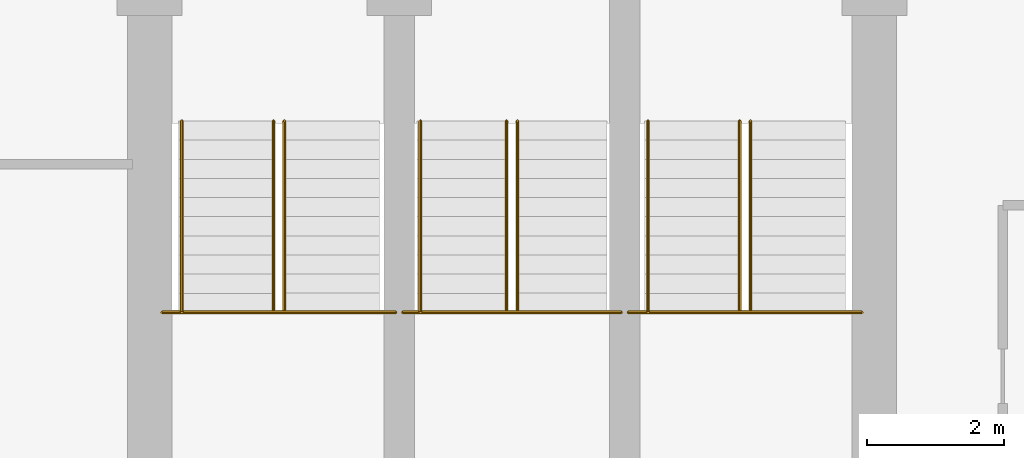
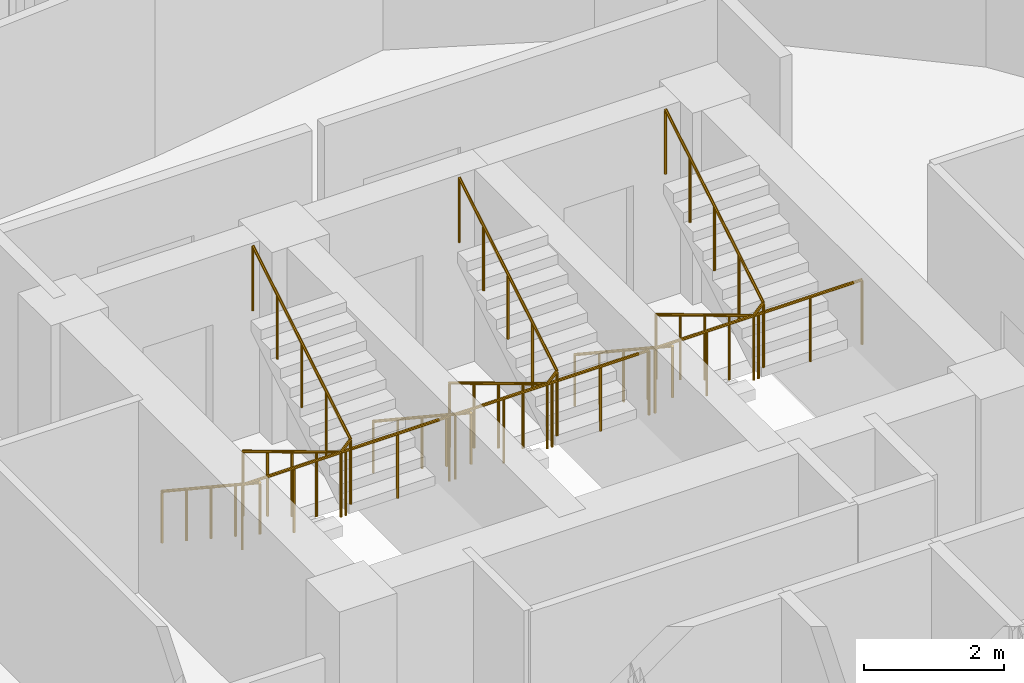
# One storey, part 26 of 26: 9 railings.
"""IFC4 building model written with IfcOpenShell, lengths in metres."""

import ifcopenshell
import ifcopenshell.guid

model = None  # the IFC model being written
_history = None  # IfcOwnerHistory: only IFC2X3 demands one
_inside = {}  # id of a spatial element -> (the spatial element, [elements in it])
_under = {}  # id of a project, library or spatial element -> (it, [spatial elements below it])
_declared = {}  # id of a project -> (the project, [libraries it declares])
_typed = {}  # id of a type object -> (the type object, [elements of that type])
_made_of = {}  # id of a material, layer set ... -> (it, [elements and type objects made of it])


def new_model(schema):
    """Start an empty IFC model of exactly this schema.

    Asked for "IFC4X3", IfcOpenShell would pick the latest addendum, in which some entities
    have other attributes; the version numbers below select the first issue.
    IFC2X3 requires an IfcOwnerHistory on every rooted entity: one is made here for all.
    """
    global model, _history
    if schema == "IFC4X3":
        model = ifcopenshell.file(schema_version=(4, 3, 0, 0))
    else:
        model = ifcopenshell.file(schema=schema)
    _inside.clear()
    _under.clear()
    _declared.clear()
    _typed.clear()
    _made_of.clear()
    _history = None
    if model.schema == "IFC2X3":
        org = make("IfcOrganization", Name="unknown")
        user = make(
            "IfcPersonAndOrganization",
            ThePerson=make("IfcPerson", FamilyName="unknown"),
            TheOrganization=org,
        )
        app = make(
            "IfcApplication",
            ApplicationDeveloper=org,
            Version="unknown",
            ApplicationFullName="unknown",
            ApplicationIdentifier="unknown",
        )
        _history = make(
            "IfcOwnerHistory",
            OwningUser=user,
            OwningApplication=app,
            ChangeAction="ADDED",
            CreationDate=0,
        )
    return model


def make(cls, **values):
    """One entity of the class cls with the attributes given. An attribute that is None is left unset."""
    return model.create_entity(
        cls, **{name: value for name, value in values.items() if value is not None}
    )


def rooted(cls, **values):
    """An entity with a GlobalId (a new one), such as an element, a storey or a relation."""
    return make(cls, GlobalId=ifcopenshell.guid.new(), OwnerHistory=_history, **values)


def si_unit(unit_type, name, prefix=None):
    """IfcSIUnit, for example si_unit("LENGTHUNIT", "METRE", prefix="MILLI")."""
    return make("IfcSIUnit", UnitType=unit_type, Prefix=prefix, Name=name)


def assignment(units):
    """IfcUnitAssignment: the units of a project."""
    return None if units is None else make("IfcUnitAssignment", Units=units)


def point(xyz):
    """IfcCartesianPoint."""
    return None if xyz is None else make("IfcCartesianPoint", Coordinates=xyz)


def direction(xyz):
    """IfcDirection."""
    return None if xyz is None else make("IfcDirection", DirectionRatios=xyz)


def frame(location, z_axis=None, x_axis=None):
    """IfcAxis2Placement3D, a coordinate frame: its origin and axes. An axis left out is left unset."""
    return make(
        "IfcAxis2Placement3D",
        Location=point(location),
        Axis=direction(z_axis),
        RefDirection=direction(x_axis),
    )


def origin():
    """The frame at (0, 0, 0) with its axes left unset."""
    return frame((0.0, 0.0, 0.0))


def place(relative_to, where):
    """IfcLocalPlacement: puts the frame where relative to a parent placement (None: the world)."""
    return make(
        "IfcLocalPlacement", PlacementRelTo=relative_to, RelativePlacement=where
    )


def context(
    kind, dimensions, precision=None, world=None, true_north=None, identifier=None
):
    """IfcGeometricRepresentationContext, for example the 3D "Model" context."""
    return make(
        "IfcGeometricRepresentationContext",
        ContextIdentifier=identifier,
        ContextType=kind,
        CoordinateSpaceDimension=dimensions,
        Precision=precision,
        WorldCoordinateSystem=world,
        TrueNorth=true_north,
    )


def subcontext(parent, identifier, kind, view, scale=None):
    """IfcGeometricRepresentationSubContext, for example "Body" below "Model"."""
    return make(
        "IfcGeometricRepresentationSubContext",
        ContextIdentifier=identifier,
        ContextType=kind,
        ParentContext=parent,
        TargetScale=scale,
        TargetView=view,
    )


def project(units=None, contexts=None):
    """IfcProject with its units and contexts."""
    return rooted(
        "IfcProject",
        Name="project",
        RepresentationContexts=contexts,
        UnitsInContext=assignment(units),
    )


def spatial(cls, under=None, at=None, **own):
    """A site, building, storey or space (cls), placed at a placement, below another one or the project."""
    s = rooted(cls, ObjectPlacement=at, **own)
    if under is not None:
        _under.setdefault(under.id(), (under, []))[1].append(s)
    return s


def polyline(points):
    """IfcPolyline through the points."""
    return make("IfcPolyline", Points=[point(p) for p in points])


def outline(outer, holes=None, kind="AREA"):
    """IfcArbitraryClosedProfileDef: a profile drawn as a closed curve; with holes, ...WithVoids."""
    if holes is None:
        return make("IfcArbitraryClosedProfileDef", ProfileType=kind, OuterCurve=outer)
    return make(
        "IfcArbitraryProfileDefWithVoids",
        ProfileType=kind,
        OuterCurve=outer,
        InnerCurves=holes,
    )


def extrude(swept, where, along, depth):
    """IfcExtrudedAreaSolid: the profile swept, set in the frame where, extruded along a direction by depth."""
    return make(
        "IfcExtrudedAreaSolid",
        SweptArea=swept,
        Position=where,
        ExtrudedDirection=direction(along),
        Depth=depth,
    )


def shape(context_of_items, identifier, shape_type, items):
    """IfcShapeRepresentation: the items that make up one representation, for example the "Body"."""
    return make(
        "IfcShapeRepresentation",
        ContextOfItems=context_of_items,
        RepresentationIdentifier=identifier,
        RepresentationType=shape_type,
        Items=items,
    )


def material(Name=None, Category=None):
    """IfcMaterial."""
    return make("IfcMaterial", Name=Name, Category=Category)


def made_of(thing, what):
    """Note that an element or type object is made of a material, layer set ...; save() writes the relation."""
    if what is not None:
        _made_of.setdefault(what.id(), (what, []))[1].append(thing)
    return thing


def type_object(cls, material=None, **own):
    """A type object (cls), such as IfcWallType, which elements share."""
    return made_of(rooted(cls, **own), material)


def element(
    cls,
    number,
    at=None,
    inside=None,
    cuts=None,
    type_object=None,
    material=None,
    context=None,
    identifier="Body",
    shape_type=None,
    held_by="IfcProductDefinitionShape",
    body=None,
    shapes=None,
    **own,
):
    """One element of the class cls, such as IfcWall. Its Tag is "e" and its number.

    at: its placement. inside: the storey or other place that contains it. cuts: it is an
    opening in that element (IfcRelVoidsElement). A single representation is given by context,
    identifier, shape_type and body (its items); several are given by shapes. held_by: the class
    of the entity that holds the representations. save() writes the other relations.
    """
    e = rooted(cls, Tag="e%d" % number, ObjectPlacement=at, **own)
    if body is not None:
        shapes = [shape(context, identifier, shape_type, body)]
    if shapes is not None:
        e.Representation = make(held_by, Representations=shapes)
    if inside is not None:
        _inside.setdefault(inside.id(), (inside, []))[1].append(e)
    if cuts is not None:
        rooted(
            "IfcRelVoidsElement", RelatingBuildingElement=cuts, RelatedOpeningElement=e
        )
    if type_object is not None:
        _typed.setdefault(type_object.id(), (type_object, []))[1].append(e)
    return made_of(e, material)


def aggregate(whole, parts):
    """IfcRelAggregates: a whole, such as a stair, and the parts it consists of."""
    return rooted("IfcRelAggregates", RelatingObject=whole, RelatedObjects=parts)


def save(model, path):
    """Write the relations noted so far, then the file.

    IfcRelAggregates (storeys below a building ...), IfcRelContainedInSpatialStructure (elements
    in a storey), IfcRelDefinesByType, IfcRelAssociatesMaterial and IfcRelDeclares: one each for
    every whole, place, type object, material and project.
    """
    for whole, parts in _under.values():
        aggregate(whole, parts)
    for where, things in _inside.values():
        rooted(
            "IfcRelContainedInSpatialStructure",
            RelatedElements=things,
            RelatingStructure=where,
        )
    for kind, things in _typed.values():
        rooted("IfcRelDefinesByType", RelatedObjects=things, RelatingType=kind)
    for what, things in _made_of.values():
        rooted("IfcRelAssociatesMaterial", RelatedObjects=things, RelatingMaterial=what)
    for by, libraries in _declared.values():
        rooted("IfcRelDeclares", RelatingContext=by, RelatedDefinitions=libraries)
    model.write(path)


model = new_model("IFC4")

# Units and contexts
model_context = context("Model", 3, precision=1e-05, world=origin(), true_north=direction((0.0, 1.0)))
body_context = subcontext(model_context, "Body", "Model", "MODEL_VIEW")
ifc_project = project(units=[si_unit("LENGTHUNIT", "METRE"), si_unit("AREAUNIT", "SQUARE_METRE"), si_unit("VOLUMEUNIT", "CUBIC_METRE"), si_unit("PLANEANGLEUNIT", "RADIAN"), si_unit("MASSUNIT", "GRAM", prefix="KILO")], contexts=[model_context])

# Site, building, storey
site_placement = place(None, origin())
site = spatial("IfcSite", under=ifc_project, at=site_placement, CompositionType="ELEMENT")
building_placement = place(site_placement, origin())
building = spatial("IfcBuilding", under=site, at=building_placement, Name="Nuhasar Tower", CompositionType="ELEMENT")
storey_placement = place(building_placement, frame((0.0, 0.0, 192.25)))
storey = spatial("IfcBuildingStorey", under=building, at=storey_placement, Name="L47", CompositionType="ELEMENT", Elevation=192.25)

# Railings
ifc_material_1 = material(Name="Steel S355", Category="steel")
railing_type_1 = type_object("IfcRailingType", Name="RLG-STAIR-GUARD-1150", PredefinedType="GUARDRAIL", material=ifc_material_1)
railing_1_placement = place(storey_placement, frame((33.8798828125, 32.485107421875, 1.85009765625)))
element("IfcRailing", 1, at=railing_1_placement, inside=storey, type_object=railing_type_1, Name="L47 Stair ST-01 Guardrail LND", PredefinedType="GUARDRAIL", context=body_context, shape_type="SweptSolid", body=[
    extrude(outline(polyline([(0.024169921875, 0.0), (0.01708984375, 0.01708984375), (0.0, 0.024169921875), (-0.01708984375, 0.01708984375), (-0.024169921875, 0.0), (-0.01708984375, -0.01708984375), (0.0, -0.024169921875), (0.01708984375, -0.01708984375), (0.024169921875, 0.0)])), frame((0.0, 0.0, 1.1259765625), z_axis=(1.0, 0.0, 0.0), x_axis=(0.0, 1.0, 0.0)), (0.0, 0.0, 1.0), 3.420166015625),
    extrude(outline(polyline([(0.02099609375, 0.0), (0.014892578125, 0.014892578125), (0.0, 0.02099609375), (-0.014892578125, 0.014892578125), (-0.02099609375, 0.0), (-0.014892578125, -0.014892578125), (0.0, -0.02099609375), (0.014892578125, -0.014892578125), (0.02099609375, 0.0)])), origin(), (0.0, 0.0, 1.0), 1.101806640625),
    extrude(outline(polyline([(0.02099609375, 0.0), (0.014892578125, 0.014892578125), (0.0, 0.02099609375), (-0.014892578125, 0.014892578125), (-0.02099609375, 0.0), (-0.014892578125, -0.014892578125), (0.0, -0.02099609375), (0.014892578125, -0.014892578125), (0.02099609375, 0.0)])), frame((0.85498046875, 0.0, 0.0)), (0.0, 0.0, 1.0), 1.101806640625),
    extrude(outline(polyline([(0.02099609375, 0.0), (0.014892578125, 0.014892578125), (0.0, 0.02099609375), (-0.014892578125, 0.014892578125), (-0.02099609375, 0.0), (-0.014892578125, -0.014892578125), (0.0, -0.02099609375), (0.014892578125, -0.014892578125), (0.02099609375, 0.0)])), frame((1.7099609375, 0.0, 0.0)), (0.0, 0.0, 1.0), 1.101806640625),
    extrude(outline(polyline([(0.02099609375, 0.0), (0.014892578125, 0.014892578125), (0.0, 0.02099609375), (-0.014892578125, 0.014892578125), (-0.02099609375, 0.0), (-0.014892578125, -0.014892578125), (0.0, -0.02099609375), (0.014892578125, -0.014892578125), (0.02099609375, 0.0)])), frame((2.565185546875, 0.0, 0.0)), (0.0, 0.0, 1.0), 1.101806640625),
    extrude(outline(polyline([(0.02099609375, 0.0), (0.014892578125, 0.014892578125), (0.0, 0.02099609375), (-0.014892578125, 0.014892578125), (-0.02099609375, 0.0), (-0.014892578125, -0.014892578125), (0.0, -0.02099609375), (0.014892578125, -0.014892578125), (0.02099609375, 0.0)])), frame((3.420166015625, 0.0, 0.0)), (0.0, 0.0, 1.0), 1.101806640625),
])
railing_2_placement = place(storey_placement, frame((35.510009765625, 35.284912109375, 0.16796875)))
element("IfcRailing", 2, at=railing_2_placement, inside=storey, type_object=railing_type_1, Name="L47 Stair ST-01 Guardrail SLT", PredefinedType="GUARDRAIL", context=body_context, shape_type="SweptSolid", body=[
    extrude(outline(polyline([(0.024169921875, 0.0), (0.01708984375, 0.01708984375), (0.0, 0.024169921875), (-0.01708984375, 0.01708984375), (-0.024169921875, 0.0), (-0.01708984375, -0.01708984375), (0.0, -0.024169921875), (0.01708984375, -0.01708984375), (0.024169921875, 0.0)])), frame((0.0, 0.0, 1.1259765625), z_axis=(0.0, -0.857189395008, 0.515001302023), x_axis=(1.0, 0.0, 0.0)), (0.0, 0.0, 1.0), 3.266357421875),
    extrude(outline(polyline([(0.024169921875, 0.0), (0.01708984375, 0.01708984375), (0.0, 0.024169921875), (-0.01708984375, 0.01708984375), (-0.024169921875, 0.0), (-0.01708984375, -0.01708984375), (0.0, -0.024169921875), (0.01708984375, -0.01708984375), (0.024169921875, 0.0)])), frame((0.0, -2.7998046875, 2.80810546875), z_axis=(0.689523729023, 0.0, 0.72426309247), x_axis=(0.0, 1.0, 0.0)), (0.0, 0.0, 1.0), 0.23193359375),
    extrude(outline(polyline([(0.024169921875, 0.0), (0.01708984375, 0.01708984375), (0.0, 0.024169921875), (-0.01708984375, 0.01708984375), (-0.024169921875, 0.0), (-0.01708984375, -0.01708984375), (0.0, -0.024169921875), (0.01708984375, -0.01708984375), (0.024169921875, 0.0)])), frame((0.159912109375, -2.7998046875, 2.97607421875), z_axis=(0.0, 0.857222391501, 0.514946377315), x_axis=(-1.0, 0.0, 0.0)), (0.0, 0.0, 1.0), 3.26611328125),
    extrude(outline(polyline([(0.02099609375, 0.0), (0.014892578125, 0.014892578125), (0.0, 0.02099609375), (-0.014892578125, 0.014892578125), (-0.02099609375, 0.0), (-0.014892578125, -0.014892578125), (0.0, -0.02099609375), (0.014892578125, -0.014892578125), (0.02099609375, 0.0)])), origin(), (0.0, 0.0, 1.0), 1.101806640625),
    extrude(outline(polyline([(0.02099609375, 0.0), (0.014892578125, 0.014892578125), (0.0, 0.02099609375), (-0.014892578125, 0.014892578125), (-0.02099609375, 0.0), (-0.014892578125, -0.014892578125), (0.0, -0.02099609375), (0.014892578125, -0.014892578125), (0.02099609375, 0.0)])), frame((0.0, -0.699951171875, 0.42041015625)), (0.0, 0.0, 1.0), 1.101806640625),
    extrude(outline(polyline([(0.02099609375, 0.0), (0.014892578125, 0.014892578125), (0.0, 0.02099609375), (-0.014892578125, 0.014892578125), (-0.02099609375, 0.0), (-0.014892578125, -0.014892578125), (0.0, -0.02099609375), (0.014892578125, -0.014892578125), (0.02099609375, 0.0)])), frame((0.0, -1.39990234375, 0.841064453125)), (0.0, 0.0, 1.0), 1.101806640625),
    extrude(outline(polyline([(0.02099609375, 0.0), (0.014892578125, 0.014892578125), (0.0, 0.02099609375), (-0.014892578125, 0.014892578125), (-0.02099609375, 0.0), (-0.014892578125, -0.014892578125), (0.0, -0.02099609375), (0.014892578125, -0.014892578125), (0.02099609375, 0.0)])), frame((0.0, -2.099853515625, 1.26171875)), (0.0, 0.0, 1.0), 1.101806640625),
    extrude(outline(polyline([(0.02099609375, 0.0), (0.014892578125, 0.014892578125), (0.0, 0.02099609375), (-0.014892578125, 0.014892578125), (-0.02099609375, 0.0), (-0.014892578125, -0.014892578125), (0.0, -0.02099609375), (0.014892578125, -0.014892578125), (0.02099609375, 0.0)])), frame((0.0, -2.7998046875, 1.68212890625)), (0.0, 0.0, 1.0), 1.101806640625),
    extrude(outline(polyline([(0.02099609375, 0.0), (0.014892578125, 0.014892578125), (0.0, 0.02099609375), (-0.014892578125, 0.014892578125), (-0.02099609375, 0.0), (-0.014892578125, -0.014892578125), (0.0, -0.02099609375), (0.014892578125, -0.014892578125), (0.02099609375, 0.0)])), frame((0.159912109375, -2.7998046875, 1.85009765625)), (0.0, 0.0, 1.0), 1.101806640625),
    extrude(outline(polyline([(0.02099609375, 0.0), (0.014892578125, 0.014892578125), (0.0, 0.02099609375), (-0.014892578125, 0.014892578125), (-0.02099609375, 0.0), (-0.014892578125, -0.014892578125), (0.0, -0.02099609375), (0.014892578125, -0.014892578125), (0.02099609375, 0.0)])), frame((0.159912109375, -2.099853515625, 2.2705078125)), (0.0, 0.0, 1.0), 1.101806640625),
    extrude(outline(polyline([(0.02099609375, 0.0), (0.014892578125, 0.014892578125), (0.0, 0.02099609375), (-0.014892578125, 0.014892578125), (-0.02099609375, 0.0), (-0.014892578125, -0.014892578125), (0.0, -0.02099609375), (0.014892578125, -0.014892578125), (0.02099609375, 0.0)])), frame((0.159912109375, -1.39990234375, 2.69091796875)), (0.0, 0.0, 1.0), 1.101806640625),
    extrude(outline(polyline([(0.02099609375, 0.0), (0.014892578125, 0.014892578125), (0.0, 0.02099609375), (-0.014892578125, 0.014892578125), (-0.02099609375, 0.0), (-0.014892578125, -0.014892578125), (0.0, -0.02099609375), (0.014892578125, -0.014892578125), (0.02099609375, 0.0)])), frame((0.159912109375, -0.699951171875, 3.111572265625)), (0.0, 0.0, 1.0), 1.101806640625),
    extrude(outline(polyline([(0.02099609375, 0.0), (0.014892578125, 0.014892578125), (0.0, 0.02099609375), (-0.014892578125, 0.014892578125), (-0.02099609375, 0.0), (-0.014892578125, -0.014892578125), (0.0, -0.02099609375), (0.014892578125, -0.014892578125), (0.02099609375, 0.0)])), frame((0.159912109375, 0.0, 3.531982421875)), (0.0, 0.0, 1.0), 1.101806640625),
])
railing_3_placement = place(storey_placement, frame((37.39990234375, 32.485107421875, 1.85009765625)))
element("IfcRailing", 3, at=railing_3_placement, inside=storey, type_object=railing_type_1, Name="L47 Stair ST-03 Guardrail LND", PredefinedType="GUARDRAIL", context=body_context, shape_type="SweptSolid", body=[
    extrude(outline(polyline([(0.024169921875, 0.0), (0.01708984375, 0.01708984375), (0.0, 0.024169921875), (-0.01708984375, 0.01708984375), (-0.024169921875, 0.0), (-0.01708984375, -0.01708984375), (0.0, -0.024169921875), (0.01708984375, -0.01708984375), (0.024169921875, 0.0)])), frame((0.0, 0.0, 1.1259765625), z_axis=(1.0, 0.0, 0.0), x_axis=(0.0, 1.0, 0.0)), (0.0, 0.0, 1.0), 3.2001953125),
    extrude(outline(polyline([(0.02099609375, 0.0), (0.014892578125, 0.014892578125), (0.0, 0.02099609375), (-0.014892578125, 0.014892578125), (-0.02099609375, 0.0), (-0.014892578125, -0.014892578125), (0.0, -0.02099609375), (0.014892578125, -0.014892578125), (0.02099609375, 0.0)])), origin(), (0.0, 0.0, 1.0), 1.101806640625),
    extrude(outline(polyline([(0.02099609375, 0.0), (0.014892578125, 0.014892578125), (0.0, 0.02099609375), (-0.014892578125, 0.014892578125), (-0.02099609375, 0.0), (-0.014892578125, -0.014892578125), (0.0, -0.02099609375), (0.014892578125, -0.014892578125), (0.02099609375, 0.0)])), frame((0.800048828125, 0.0, 0.0)), (0.0, 0.0, 1.0), 1.101806640625),
    extrude(outline(polyline([(0.02099609375, 0.0), (0.014892578125, 0.014892578125), (0.0, 0.02099609375), (-0.014892578125, 0.014892578125), (-0.02099609375, 0.0), (-0.014892578125, -0.014892578125), (0.0, -0.02099609375), (0.014892578125, -0.014892578125), (0.02099609375, 0.0)])), frame((1.60009765625, 0.0, 0.0)), (0.0, 0.0, 1.0), 1.101806640625),
    extrude(outline(polyline([(0.02099609375, 0.0), (0.014892578125, 0.014892578125), (0.0, 0.02099609375), (-0.014892578125, 0.014892578125), (-0.02099609375, 0.0), (-0.014892578125, -0.014892578125), (0.0, -0.02099609375), (0.014892578125, -0.014892578125), (0.02099609375, 0.0)])), frame((2.400146484375, 0.0, 0.0)), (0.0, 0.0, 1.0), 1.101806640625),
    extrude(outline(polyline([(0.02099609375, 0.0), (0.014892578125, 0.014892578125), (0.0, 0.02099609375), (-0.014892578125, 0.014892578125), (-0.02099609375, 0.0), (-0.014892578125, -0.014892578125), (0.0, -0.02099609375), (0.014892578125, -0.014892578125), (0.02099609375, 0.0)])), frame((3.2001953125, 0.0, 0.0)), (0.0, 0.0, 1.0), 1.101806640625),
])
railing_4_placement = place(storey_placement, frame((38.919921875, 35.284912109375, 0.16796875)))
element("IfcRailing", 4, at=railing_4_placement, inside=storey, type_object=railing_type_1, Name="L47 Stair ST-03 Guardrail SLT", PredefinedType="GUARDRAIL", context=body_context, shape_type="SweptSolid", body=[
    extrude(outline(polyline([(0.024169921875, 0.0), (0.01708984375, 0.01708984375), (0.0, 0.024169921875), (-0.01708984375, 0.01708984375), (-0.024169921875, 0.0), (-0.01708984375, -0.01708984375), (0.0, -0.024169921875), (0.01708984375, -0.01708984375), (0.024169921875, 0.0)])), frame((0.0, 0.0, 1.1259765625), z_axis=(0.0, -0.857189395008, 0.515001302023), x_axis=(1.0, 0.0, 0.0)), (0.0, 0.0, 1.0), 3.266357421875),
    extrude(outline(polyline([(0.024169921875, 0.0), (0.01708984375, 0.01708984375), (0.0, 0.024169921875), (-0.01708984375, 0.01708984375), (-0.024169921875, 0.0), (-0.01708984375, -0.01708984375), (0.0, -0.024169921875), (0.01708984375, -0.01708984375), (0.024169921875, 0.0)])), frame((0.0, -2.7998046875, 2.80810546875), z_axis=(0.690075333573, 0.0, 0.723737544967), x_axis=(0.0, 1.0, 0.0)), (0.0, 0.0, 1.0), 0.232177734375),
    extrude(outline(polyline([(0.024169921875, 0.0), (0.01708984375, 0.01708984375), (0.0, 0.024169921875), (-0.01708984375, 0.01708984375), (-0.024169921875, 0.0), (-0.01708984375, -0.01708984375), (0.0, -0.024169921875), (0.01708984375, -0.01708984375), (0.024169921875, 0.0)])), frame((0.16015625, -2.7998046875, 2.97607421875), z_axis=(0.0, 0.857222391501, 0.514946377315), x_axis=(-1.0, 0.0, 0.0)), (0.0, 0.0, 1.0), 3.26611328125),
    extrude(outline(polyline([(0.02099609375, 0.0), (0.014892578125, 0.014892578125), (0.0, 0.02099609375), (-0.014892578125, 0.014892578125), (-0.02099609375, 0.0), (-0.014892578125, -0.014892578125), (0.0, -0.02099609375), (0.014892578125, -0.014892578125), (0.02099609375, 0.0)])), origin(), (0.0, 0.0, 1.0), 1.101806640625),
    extrude(outline(polyline([(0.02099609375, 0.0), (0.014892578125, 0.014892578125), (0.0, 0.02099609375), (-0.014892578125, 0.014892578125), (-0.02099609375, 0.0), (-0.014892578125, -0.014892578125), (0.0, -0.02099609375), (0.014892578125, -0.014892578125), (0.02099609375, 0.0)])), frame((0.0, -0.699951171875, 0.42041015625)), (0.0, 0.0, 1.0), 1.101806640625),
    extrude(outline(polyline([(0.02099609375, 0.0), (0.014892578125, 0.014892578125), (0.0, 0.02099609375), (-0.014892578125, 0.014892578125), (-0.02099609375, 0.0), (-0.014892578125, -0.014892578125), (0.0, -0.02099609375), (0.014892578125, -0.014892578125), (0.02099609375, 0.0)])), frame((0.0, -1.39990234375, 0.841064453125)), (0.0, 0.0, 1.0), 1.101806640625),
    extrude(outline(polyline([(0.02099609375, 0.0), (0.014892578125, 0.014892578125), (0.0, 0.02099609375), (-0.014892578125, 0.014892578125), (-0.02099609375, 0.0), (-0.014892578125, -0.014892578125), (0.0, -0.02099609375), (0.014892578125, -0.014892578125), (0.02099609375, 0.0)])), frame((0.0, -2.099853515625, 1.26171875)), (0.0, 0.0, 1.0), 1.101806640625),
    extrude(outline(polyline([(0.02099609375, 0.0), (0.014892578125, 0.014892578125), (0.0, 0.02099609375), (-0.014892578125, 0.014892578125), (-0.02099609375, 0.0), (-0.014892578125, -0.014892578125), (0.0, -0.02099609375), (0.014892578125, -0.014892578125), (0.02099609375, 0.0)])), frame((0.0, -2.7998046875, 1.68212890625)), (0.0, 0.0, 1.0), 1.101806640625),
    extrude(outline(polyline([(0.02099609375, 0.0), (0.014892578125, 0.014892578125), (0.0, 0.02099609375), (-0.014892578125, 0.014892578125), (-0.02099609375, 0.0), (-0.014892578125, -0.014892578125), (0.0, -0.02099609375), (0.014892578125, -0.014892578125), (0.02099609375, 0.0)])), frame((0.16015625, -2.7998046875, 1.85009765625)), (0.0, 0.0, 1.0), 1.101806640625),
    extrude(outline(polyline([(0.02099609375, 0.0), (0.014892578125, 0.014892578125), (0.0, 0.02099609375), (-0.014892578125, 0.014892578125), (-0.02099609375, 0.0), (-0.014892578125, -0.014892578125), (0.0, -0.02099609375), (0.014892578125, -0.014892578125), (0.02099609375, 0.0)])), frame((0.16015625, -2.099853515625, 2.2705078125)), (0.0, 0.0, 1.0), 1.101806640625),
    extrude(outline(polyline([(0.02099609375, 0.0), (0.014892578125, 0.014892578125), (0.0, 0.02099609375), (-0.014892578125, 0.014892578125), (-0.02099609375, 0.0), (-0.014892578125, -0.014892578125), (0.0, -0.02099609375), (0.014892578125, -0.014892578125), (0.02099609375, 0.0)])), frame((0.16015625, -1.39990234375, 2.69091796875)), (0.0, 0.0, 1.0), 1.101806640625),
    extrude(outline(polyline([(0.02099609375, 0.0), (0.014892578125, 0.014892578125), (0.0, 0.02099609375), (-0.014892578125, 0.014892578125), (-0.02099609375, 0.0), (-0.014892578125, -0.014892578125), (0.0, -0.02099609375), (0.014892578125, -0.014892578125), (0.02099609375, 0.0)])), frame((0.16015625, -0.699951171875, 3.111572265625)), (0.0, 0.0, 1.0), 1.101806640625),
    extrude(outline(polyline([(0.02099609375, 0.0), (0.014892578125, 0.014892578125), (0.0, 0.02099609375), (-0.014892578125, 0.014892578125), (-0.02099609375, 0.0), (-0.014892578125, -0.014892578125), (0.0, -0.02099609375), (0.014892578125, -0.014892578125), (0.02099609375, 0.0)])), frame((0.16015625, 0.0, 3.531982421875)), (0.0, 0.0, 1.0), 1.101806640625),
])
railing_5_placement = place(storey_placement, frame((40.699951171875, 32.485107421875, 1.85009765625)))
element("IfcRailing", 5, at=railing_5_placement, inside=storey, type_object=railing_type_1, Name="L47 Stair ST-02 Guardrail LND", PredefinedType="GUARDRAIL", context=body_context, shape_type="SweptSolid", body=[
    extrude(outline(polyline([(0.024169921875, 0.0), (0.01708984375, 0.01708984375), (0.0, 0.024169921875), (-0.01708984375, 0.01708984375), (-0.024169921875, 0.0), (-0.01708984375, -0.01708984375), (0.0, -0.024169921875), (0.01708984375, -0.01708984375), (0.024169921875, 0.0)])), frame((0.0, 0.0, 1.1259765625), z_axis=(1.0, 0.0, 0.0), x_axis=(0.0, 1.0, 0.0)), (0.0, 0.0, 1.0), 3.420166015625),
    extrude(outline(polyline([(0.02099609375, 0.0), (0.014892578125, 0.014892578125), (0.0, 0.02099609375), (-0.014892578125, 0.014892578125), (-0.02099609375, 0.0), (-0.014892578125, -0.014892578125), (0.0, -0.02099609375), (0.014892578125, -0.014892578125), (0.02099609375, 0.0)])), origin(), (0.0, 0.0, 1.0), 1.101806640625),
    extrude(outline(polyline([(0.02099609375, 0.0), (0.014892578125, 0.014892578125), (0.0, 0.02099609375), (-0.014892578125, 0.014892578125), (-0.02099609375, 0.0), (-0.014892578125, -0.014892578125), (0.0, -0.02099609375), (0.014892578125, -0.014892578125), (0.02099609375, 0.0)])), frame((0.85498046875, 0.0, 0.0)), (0.0, 0.0, 1.0), 1.101806640625),
    extrude(outline(polyline([(0.02099609375, 0.0), (0.014892578125, 0.014892578125), (0.0, 0.02099609375), (-0.014892578125, 0.014892578125), (-0.02099609375, 0.0), (-0.014892578125, -0.014892578125), (0.0, -0.02099609375), (0.014892578125, -0.014892578125), (0.02099609375, 0.0)])), frame((1.7099609375, 0.0, 0.0)), (0.0, 0.0, 1.0), 1.101806640625),
    extrude(outline(polyline([(0.02099609375, 0.0), (0.014892578125, 0.014892578125), (0.0, 0.02099609375), (-0.014892578125, 0.014892578125), (-0.02099609375, 0.0), (-0.014892578125, -0.014892578125), (0.0, -0.02099609375), (0.014892578125, -0.014892578125), (0.02099609375, 0.0)])), frame((2.565185546875, 0.0, 0.0)), (0.0, 0.0, 1.0), 1.101806640625),
    extrude(outline(polyline([(0.02099609375, 0.0), (0.014892578125, 0.014892578125), (0.0, 0.02099609375), (-0.014892578125, 0.014892578125), (-0.02099609375, 0.0), (-0.014892578125, -0.014892578125), (0.0, -0.02099609375), (0.014892578125, -0.014892578125), (0.02099609375, 0.0)])), frame((3.420166015625, 0.0, 0.0)), (0.0, 0.0, 1.0), 1.101806640625),
])
railing_6_placement = place(storey_placement, frame((42.330078125, 35.284912109375, 0.16796875)))
element("IfcRailing", 6, at=railing_6_placement, inside=storey, type_object=railing_type_1, Name="L47 Stair ST-02 Guardrail SLT", PredefinedType="GUARDRAIL", context=body_context, shape_type="SweptSolid", body=[
    extrude(outline(polyline([(0.024169921875, 0.0), (0.01708984375, 0.01708984375), (0.0, 0.024169921875), (-0.01708984375, 0.01708984375), (-0.024169921875, 0.0), (-0.01708984375, -0.01708984375), (0.0, -0.024169921875), (0.01708984375, -0.01708984375), (0.024169921875, 0.0)])), frame((0.0, 0.0, 1.1259765625), z_axis=(0.0, -0.857189395008, 0.515001302023), x_axis=(1.0, 0.0, 0.0)), (0.0, 0.0, 1.0), 3.266357421875),
    extrude(outline(polyline([(0.024169921875, 0.0), (0.01708984375, 0.01708984375), (0.0, 0.024169921875), (-0.01708984375, 0.01708984375), (-0.024169921875, 0.0), (-0.01708984375, -0.01708984375), (0.0, -0.024169921875), (0.01708984375, -0.01708984375), (0.024169921875, 0.0)])), frame((0.0, -2.7998046875, 2.80810546875), z_axis=(0.689523729023, 0.0, 0.72426309247), x_axis=(0.0, 1.0, 0.0)), (0.0, 0.0, 1.0), 0.23193359375),
    extrude(outline(polyline([(0.024169921875, 0.0), (0.01708984375, 0.01708984375), (0.0, 0.024169921875), (-0.01708984375, 0.01708984375), (-0.024169921875, 0.0), (-0.01708984375, -0.01708984375), (0.0, -0.024169921875), (0.01708984375, -0.01708984375), (0.024169921875, 0.0)])), frame((0.159912109375, -2.7998046875, 2.97607421875), z_axis=(0.0, 0.857222391501, 0.514946377315), x_axis=(-1.0, 0.0, 0.0)), (0.0, 0.0, 1.0), 3.26611328125),
    extrude(outline(polyline([(0.02099609375, 0.0), (0.014892578125, 0.014892578125), (0.0, 0.02099609375), (-0.014892578125, 0.014892578125), (-0.02099609375, 0.0), (-0.014892578125, -0.014892578125), (0.0, -0.02099609375), (0.014892578125, -0.014892578125), (0.02099609375, 0.0)])), origin(), (0.0, 0.0, 1.0), 1.101806640625),
    extrude(outline(polyline([(0.02099609375, 0.0), (0.014892578125, 0.014892578125), (0.0, 0.02099609375), (-0.014892578125, 0.014892578125), (-0.02099609375, 0.0), (-0.014892578125, -0.014892578125), (0.0, -0.02099609375), (0.014892578125, -0.014892578125), (0.02099609375, 0.0)])), frame((0.0, -0.699951171875, 0.42041015625)), (0.0, 0.0, 1.0), 1.101806640625),
    extrude(outline(polyline([(0.02099609375, 0.0), (0.014892578125, 0.014892578125), (0.0, 0.02099609375), (-0.014892578125, 0.014892578125), (-0.02099609375, 0.0), (-0.014892578125, -0.014892578125), (0.0, -0.02099609375), (0.014892578125, -0.014892578125), (0.02099609375, 0.0)])), frame((0.0, -1.39990234375, 0.841064453125)), (0.0, 0.0, 1.0), 1.101806640625),
    extrude(outline(polyline([(0.02099609375, 0.0), (0.014892578125, 0.014892578125), (0.0, 0.02099609375), (-0.014892578125, 0.014892578125), (-0.02099609375, 0.0), (-0.014892578125, -0.014892578125), (0.0, -0.02099609375), (0.014892578125, -0.014892578125), (0.02099609375, 0.0)])), frame((0.0, -2.099853515625, 1.26171875)), (0.0, 0.0, 1.0), 1.101806640625),
    extrude(outline(polyline([(0.02099609375, 0.0), (0.014892578125, 0.014892578125), (0.0, 0.02099609375), (-0.014892578125, 0.014892578125), (-0.02099609375, 0.0), (-0.014892578125, -0.014892578125), (0.0, -0.02099609375), (0.014892578125, -0.014892578125), (0.02099609375, 0.0)])), frame((0.0, -2.7998046875, 1.68212890625)), (0.0, 0.0, 1.0), 1.101806640625),
    extrude(outline(polyline([(0.02099609375, 0.0), (0.014892578125, 0.014892578125), (0.0, 0.02099609375), (-0.014892578125, 0.014892578125), (-0.02099609375, 0.0), (-0.014892578125, -0.014892578125), (0.0, -0.02099609375), (0.014892578125, -0.014892578125), (0.02099609375, 0.0)])), frame((0.159912109375, -2.7998046875, 1.85009765625)), (0.0, 0.0, 1.0), 1.101806640625),
    extrude(outline(polyline([(0.02099609375, 0.0), (0.014892578125, 0.014892578125), (0.0, 0.02099609375), (-0.014892578125, 0.014892578125), (-0.02099609375, 0.0), (-0.014892578125, -0.014892578125), (0.0, -0.02099609375), (0.014892578125, -0.014892578125), (0.02099609375, 0.0)])), frame((0.159912109375, -2.099853515625, 2.2705078125)), (0.0, 0.0, 1.0), 1.101806640625),
    extrude(outline(polyline([(0.02099609375, 0.0), (0.014892578125, 0.014892578125), (0.0, 0.02099609375), (-0.014892578125, 0.014892578125), (-0.02099609375, 0.0), (-0.014892578125, -0.014892578125), (0.0, -0.02099609375), (0.014892578125, -0.014892578125), (0.02099609375, 0.0)])), frame((0.159912109375, -1.39990234375, 2.69091796875)), (0.0, 0.0, 1.0), 1.101806640625),
    extrude(outline(polyline([(0.02099609375, 0.0), (0.014892578125, 0.014892578125), (0.0, 0.02099609375), (-0.014892578125, 0.014892578125), (-0.02099609375, 0.0), (-0.014892578125, -0.014892578125), (0.0, -0.02099609375), (0.014892578125, -0.014892578125), (0.02099609375, 0.0)])), frame((0.159912109375, -0.699951171875, 3.111572265625)), (0.0, 0.0, 1.0), 1.101806640625),
    extrude(outline(polyline([(0.02099609375, 0.0), (0.014892578125, 0.014892578125), (0.0, 0.02099609375), (-0.014892578125, 0.014892578125), (-0.02099609375, 0.0), (-0.014892578125, -0.014892578125), (0.0, -0.02099609375), (0.014892578125, -0.014892578125), (0.02099609375, 0.0)])), frame((0.159912109375, 0.0, 3.531982421875)), (0.0, 0.0, 1.0), 1.101806640625),
])
ifc_material_2 = material(Name="Stainless Steel 316L", Category="steel")
railing_type_2 = type_object("IfcRailingType", Name="RLG-STAIR-HAND-920", PredefinedType="HANDRAIL", material=ifc_material_2)
railing_7_placement = place(storey_placement, frame((34.169921875, 35.284912109375, 0.16796875)))
element("IfcRailing", 7, at=railing_7_placement, inside=storey, type_object=railing_type_2, Name="L47 Stair ST-01 Handrail HND1", PredefinedType="HANDRAIL", context=body_context, shape_type="SweptSolid", body=[
    extrude(outline(polyline([(0.024169921875, 0.0), (0.01708984375, 0.01708984375), (0.0, 0.024169921875), (-0.01708984375, 0.01708984375), (-0.024169921875, 0.0), (-0.01708984375, -0.01708984375), (0.0, -0.024169921875), (0.01708984375, -0.01708984375), (0.024169921875, 0.0)])), frame((0.0, 0.0, 0.89599609375), z_axis=(0.0, -0.834304248922, 0.551304290053), x_axis=(1.0, 0.0, 0.0)), (0.0, 0.0, 1.0), 3.35595703125),
    extrude(outline(polyline([(0.02099609375, 0.0), (0.014892578125, 0.014892578125), (0.0, 0.02099609375), (-0.014892578125, 0.014892578125), (-0.02099609375, 0.0), (-0.014892578125, -0.014892578125), (0.0, -0.02099609375), (0.014892578125, -0.014892578125), (0.02099609375, 0.0)])), origin(), (0.0, 0.0, 1.0), 0.871826171875),
    extrude(outline(polyline([(0.02099609375, 0.0), (0.014892578125, 0.014892578125), (0.0, 0.02099609375), (-0.014892578125, 0.014892578125), (-0.02099609375, 0.0), (-0.014892578125, -0.014892578125), (0.0, -0.02099609375), (0.014892578125, -0.014892578125), (0.02099609375, 0.0)])), frame((0.0, -0.699951171875, 0.46240234375)), (0.0, 0.0, 1.0), 0.871826171875),
    extrude(outline(polyline([(0.02099609375, 0.0), (0.014892578125, 0.014892578125), (0.0, 0.02099609375), (-0.014892578125, 0.014892578125), (-0.02099609375, 0.0), (-0.014892578125, -0.014892578125), (0.0, -0.02099609375), (0.014892578125, -0.014892578125), (0.02099609375, 0.0)])), frame((0.0, -1.39990234375, 0.925048828125)), (0.0, 0.0, 1.0), 0.871826171875),
    extrude(outline(polyline([(0.02099609375, 0.0), (0.014892578125, 0.014892578125), (0.0, 0.02099609375), (-0.014892578125, 0.014892578125), (-0.02099609375, 0.0), (-0.014892578125, -0.014892578125), (0.0, -0.02099609375), (0.014892578125, -0.014892578125), (0.02099609375, 0.0)])), frame((0.0, -2.099853515625, 1.3876953125)), (0.0, 0.0, 1.0), 0.871826171875),
    extrude(outline(polyline([(0.02099609375, 0.0), (0.014892578125, 0.014892578125), (0.0, 0.02099609375), (-0.014892578125, 0.014892578125), (-0.02099609375, 0.0), (-0.014892578125, -0.014892578125), (0.0, -0.02099609375), (0.014892578125, -0.014892578125), (0.02099609375, 0.0)])), frame((0.0, -2.7998046875, 1.85009765625)), (0.0, 0.0, 1.0), 0.871826171875),
])
railing_8_placement = place(storey_placement, frame((37.659912109375, 35.284912109375, 0.16796875)))
element("IfcRailing", 8, at=railing_8_placement, inside=storey, type_object=railing_type_2, Name="L47 Stair ST-03 Handrail HND1", PredefinedType="HANDRAIL", context=body_context, shape_type="SweptSolid", body=[
    extrude(outline(polyline([(0.024169921875, 0.0), (0.01708984375, 0.01708984375), (0.0, 0.024169921875), (-0.01708984375, 0.01708984375), (-0.024169921875, 0.0), (-0.01708984375, -0.01708984375), (0.0, -0.024169921875), (0.01708984375, -0.01708984375), (0.024169921875, 0.0)])), frame((0.0, 0.0, 0.89599609375), z_axis=(0.0, -0.834304248922, 0.551304290053), x_axis=(1.0, 0.0, 0.0)), (0.0, 0.0, 1.0), 3.35595703125),
    extrude(outline(polyline([(0.02099609375, 0.0), (0.014892578125, 0.014892578125), (0.0, 0.02099609375), (-0.014892578125, 0.014892578125), (-0.02099609375, 0.0), (-0.014892578125, -0.014892578125), (0.0, -0.02099609375), (0.014892578125, -0.014892578125), (0.02099609375, 0.0)])), origin(), (0.0, 0.0, 1.0), 0.871826171875),
    extrude(outline(polyline([(0.02099609375, 0.0), (0.014892578125, 0.014892578125), (0.0, 0.02099609375), (-0.014892578125, 0.014892578125), (-0.02099609375, 0.0), (-0.014892578125, -0.014892578125), (0.0, -0.02099609375), (0.014892578125, -0.014892578125), (0.02099609375, 0.0)])), frame((0.0, -0.699951171875, 0.46240234375)), (0.0, 0.0, 1.0), 0.871826171875),
    extrude(outline(polyline([(0.02099609375, 0.0), (0.014892578125, 0.014892578125), (0.0, 0.02099609375), (-0.014892578125, 0.014892578125), (-0.02099609375, 0.0), (-0.014892578125, -0.014892578125), (0.0, -0.02099609375), (0.014892578125, -0.014892578125), (0.02099609375, 0.0)])), frame((0.0, -1.39990234375, 0.925048828125)), (0.0, 0.0, 1.0), 0.871826171875),
    extrude(outline(polyline([(0.02099609375, 0.0), (0.014892578125, 0.014892578125), (0.0, 0.02099609375), (-0.014892578125, 0.014892578125), (-0.02099609375, 0.0), (-0.014892578125, -0.014892578125), (0.0, -0.02099609375), (0.014892578125, -0.014892578125), (0.02099609375, 0.0)])), frame((0.0, -2.099853515625, 1.3876953125)), (0.0, 0.0, 1.0), 0.871826171875),
    extrude(outline(polyline([(0.02099609375, 0.0), (0.014892578125, 0.014892578125), (0.0, 0.02099609375), (-0.014892578125, 0.014892578125), (-0.02099609375, 0.0), (-0.014892578125, -0.014892578125), (0.0, -0.02099609375), (0.014892578125, -0.014892578125), (0.02099609375, 0.0)])), frame((0.0, -2.7998046875, 1.85009765625)), (0.0, 0.0, 1.0), 0.871826171875),
])
railing_9_placement = place(storey_placement, frame((40.989990234375, 35.284912109375, 0.16796875)))
element("IfcRailing", 9, at=railing_9_placement, inside=storey, type_object=railing_type_2, Name="L47 Stair ST-02 Handrail HND1", PredefinedType="HANDRAIL", context=body_context, shape_type="SweptSolid", body=[
    extrude(outline(polyline([(0.024169921875, 0.0), (0.01708984375, 0.01708984375), (0.0, 0.024169921875), (-0.01708984375, 0.01708984375), (-0.024169921875, 0.0), (-0.01708984375, -0.01708984375), (0.0, -0.024169921875), (0.01708984375, -0.01708984375), (0.024169921875, 0.0)])), frame((0.0, 0.0, 0.89599609375), z_axis=(0.0, -0.834304248922, 0.551304290053), x_axis=(1.0, 0.0, 0.0)), (0.0, 0.0, 1.0), 3.35595703125),
    extrude(outline(polyline([(0.02099609375, 0.0), (0.014892578125, 0.014892578125), (0.0, 0.02099609375), (-0.014892578125, 0.014892578125), (-0.02099609375, 0.0), (-0.014892578125, -0.014892578125), (0.0, -0.02099609375), (0.014892578125, -0.014892578125), (0.02099609375, 0.0)])), origin(), (0.0, 0.0, 1.0), 0.871826171875),
    extrude(outline(polyline([(0.02099609375, 0.0), (0.014892578125, 0.014892578125), (0.0, 0.02099609375), (-0.014892578125, 0.014892578125), (-0.02099609375, 0.0), (-0.014892578125, -0.014892578125), (0.0, -0.02099609375), (0.014892578125, -0.014892578125), (0.02099609375, 0.0)])), frame((0.0, -0.699951171875, 0.46240234375)), (0.0, 0.0, 1.0), 0.871826171875),
    extrude(outline(polyline([(0.02099609375, 0.0), (0.014892578125, 0.014892578125), (0.0, 0.02099609375), (-0.014892578125, 0.014892578125), (-0.02099609375, 0.0), (-0.014892578125, -0.014892578125), (0.0, -0.02099609375), (0.014892578125, -0.014892578125), (0.02099609375, 0.0)])), frame((0.0, -1.39990234375, 0.925048828125)), (0.0, 0.0, 1.0), 0.871826171875),
    extrude(outline(polyline([(0.02099609375, 0.0), (0.014892578125, 0.014892578125), (0.0, 0.02099609375), (-0.014892578125, 0.014892578125), (-0.02099609375, 0.0), (-0.014892578125, -0.014892578125), (0.0, -0.02099609375), (0.014892578125, -0.014892578125), (0.02099609375, 0.0)])), frame((0.0, -2.099853515625, 1.3876953125)), (0.0, 0.0, 1.0), 0.871826171875),
    extrude(outline(polyline([(0.02099609375, 0.0), (0.014892578125, 0.014892578125), (0.0, 0.02099609375), (-0.014892578125, 0.014892578125), (-0.02099609375, 0.0), (-0.014892578125, -0.014892578125), (0.0, -0.02099609375), (0.014892578125, -0.014892578125), (0.02099609375, 0.0)])), frame((0.0, -2.7998046875, 1.85009765625)), (0.0, 0.0, 1.0), 0.871826171875),
])

save(model, "model.ifc")
